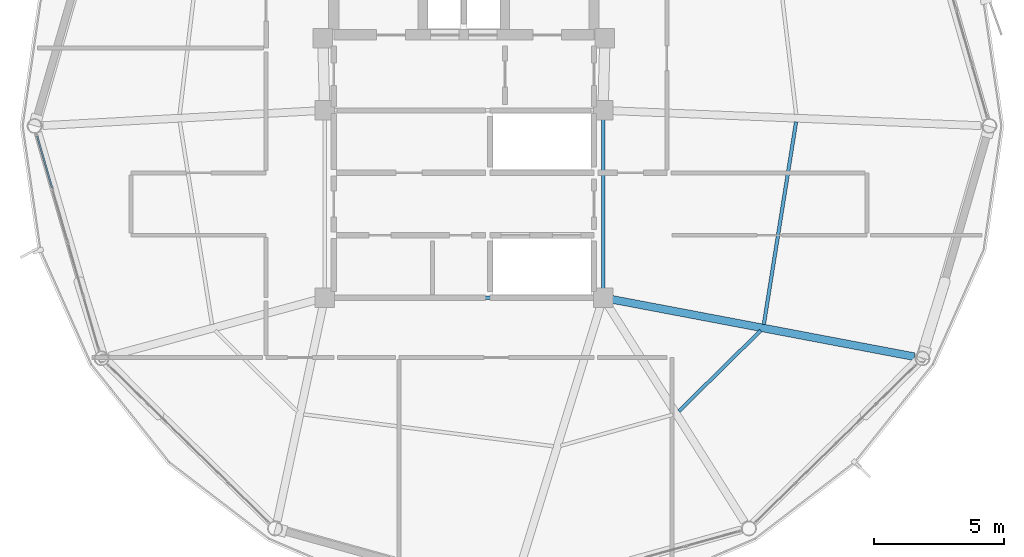
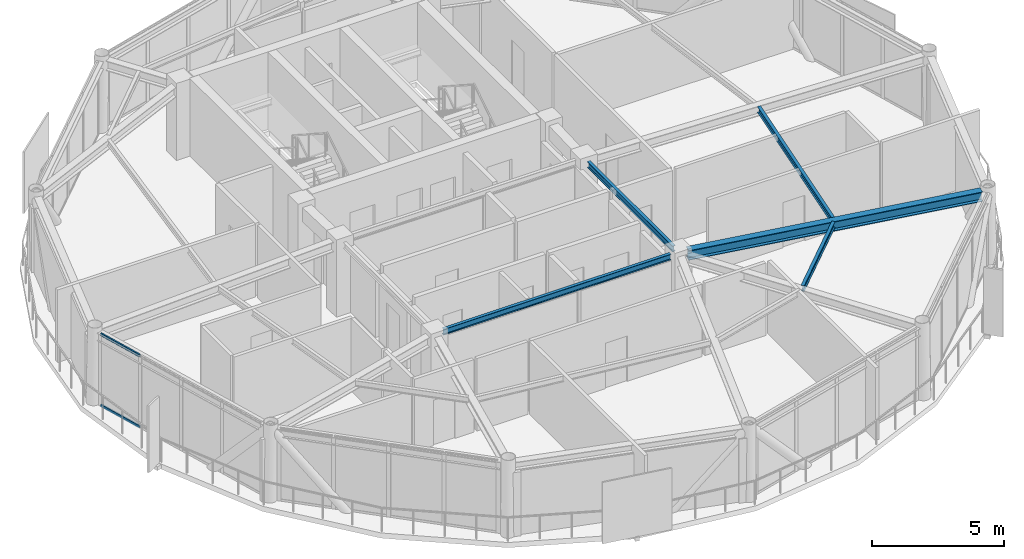
# One storey, part 10 of 26: 5 beams, 2 members, 1 element without a shape of its own.
"""IFC4 building model written with IfcOpenShell, lengths in metres."""

from ifc_helpers import new_model, si_unit, direction, frame, origin, origin_2d, place, context, subcontext, project, spatial, hollow_rectangle, i_section, extrude, material, layer, layer_set, material_profile, profile_set, type_object, element, aggregate, save


model = new_model("IFC4")

# Units and contexts
model_context = context("Model", 3, precision=1e-05, world=origin(), true_north=direction((0.0, 1.0)))
body_context = subcontext(model_context, "Body", "Model", "MODEL_VIEW")
ifc_project = project(units=[si_unit("LENGTHUNIT", "METRE"), si_unit("AREAUNIT", "SQUARE_METRE"), si_unit("VOLUMEUNIT", "CUBIC_METRE"), si_unit("PLANEANGLEUNIT", "RADIAN"), si_unit("MASSUNIT", "GRAM", prefix="KILO")], contexts=[model_context])

# Site, building, storey
site_placement = place(None, origin())
site = spatial("IfcSite", under=ifc_project, at=site_placement, CompositionType="ELEMENT")
building_placement = place(site_placement, origin())
building = spatial("IfcBuilding", under=site, at=building_placement, Name="Varnakorn Sky Granary", CompositionType="ELEMENT")
storey_placement = place(building_placement, frame((0.0, 0.0, 256.199951171875)))
storey = spatial("IfcBuildingStorey", under=building, at=storey_placement, Name="L65", CompositionType="ELEMENT", Elevation=256.199951171875)

# Beams
ifc_material_1 = material(Name="Steel S355JR", Category="steel")
ifc_material_profile_1 = material_profile(ifc_material_1, i_section(OverallWidth=0.300048828125, OverallDepth=0.449951171875, WebThickness=0.013916015625, FlangeThickness=0.02587890625, at=origin_2d()), Name="HE 450 B")
ifc_profile_set_1 = profile_set([ifc_material_profile_1], Name="Steel S355JR")
beam_type_1 = type_object("IfcBeamType", Name="BM-RAD-Z5", PredefinedType="BEAM", material=ifc_profile_set_1)
beam_1_placement = place(storey_placement, frame((8.69873046875, -6.666015625, 3.135009765625), z_axis=(0.982491868642, -0.186305469732, 0.0), x_axis=(0.186305469732, 0.982491868642, 0.0)))
element("IfcBeam", 1, at=beam_1_placement, inside=storey, type_object=beam_type_1, Name="Radial Floor Girder RG12 L65", PredefinedType="BEAM", context=body_context, shape_type="SweptSolid", body=[
    extrude(i_section(OverallWidth=0.300048828125, OverallDepth=0.449951171875, WebThickness=0.013916015625, FlangeThickness=0.02587890625, at=origin_2d()), origin(), (0.0, 0.0, 1.0), 11.82275390625),
])
ifc_material_profile_2 = material_profile(ifc_material_1, i_section(OverallWidth=0.135009765625, OverallDepth=0.27001953125, WebThickness=0.006591796875, FlangeThickness=0.01025390625, at=origin_2d()), Name="IPE 270")
ifc_profile_set_2 = profile_set([ifc_material_profile_2], Name="Steel S355JR")
beam_type_2 = type_object("IfcBeamType", Name="BM-SEC-Z5", PredefinedType="BEAM", material=ifc_profile_set_2)
beam_2_placement = place(storey_placement, frame((11.26318359375, -10.963134765625, 3.22509765625), z_axis=(0.712342555358, 0.701831948422, 0.0), x_axis=(-0.701831948422, 0.712342555358, 0.0)))
element("IfcBeam", 2, at=beam_2_placement, inside=storey, type_object=beam_type_2, Name="Secondary Floor Chord Beam MSB11 L65", PredefinedType="BEAM", context=body_context, shape_type="SweptSolid", body=[
    extrude(i_section(OverallWidth=0.135009765625, OverallDepth=0.27001953125, WebThickness=0.006591796875, FlangeThickness=0.01025390625, at=origin_2d()), origin(), (0.0, 0.0, 1.0), 4.413330078125),
])
beam_3_placement = place(storey_placement, frame((14.52880859375, -7.629150390625, 3.22509765625), z_axis=(0.157276973939, 0.987554531896, 0.0), x_axis=(-0.987554531896, 0.157276973939, 0.0)))
element("IfcBeam", 3, at=beam_3_placement, inside=storey, type_object=beam_type_2, Name="Secondary Floor Chord Beam MSB12 L65", PredefinedType="BEAM", context=body_context, shape_type="SweptSolid", body=[
    extrude(i_section(OverallWidth=0.135009765625, OverallDepth=0.27001953125, WebThickness=0.006591796875, FlangeThickness=0.01025390625, at=origin_2d()), origin(), (0.0, 0.0, 1.0), 7.88720703125),
])
beam_4_placement = place(storey_placement, frame((8.35009765625, 0.2451171875, 3.22509765625), z_axis=(0.0, -1.0, 0.0), x_axis=(1.0, 0.0, 0.0)))
element("IfcBeam", 4, at=beam_4_placement, inside=storey, type_object=beam_type_2, Name="Core Spine Framing Beam 4 L65", PredefinedType="BEAM", context=body_context, shape_type="SweptSolid", body=[
    extrude(i_section(OverallWidth=0.135009765625, OverallDepth=0.27001953125, WebThickness=0.006591796875, FlangeThickness=0.01025390625, at=origin_2d()), origin(), (0.0, 0.0, 1.0), 6.490234375),
])
beam_5_placement = place(storey_placement, frame((-1.9951171875, -6.60009765625, 3.22509765625), z_axis=(1.0, 0.0, 0.0), x_axis=(0.0, 1.0, 0.0)))
element("IfcBeam", 5, at=beam_5_placement, inside=storey, type_object=beam_type_2, Name="Core Spine Framing Beam 6 L65", PredefinedType="BEAM", context=body_context, shape_type="SweptSolid", body=[
    extrude(i_section(OverallWidth=0.135009765625, OverallDepth=0.27001953125, WebThickness=0.006591796875, FlangeThickness=0.01025390625, at=origin_2d()), origin(), (0.0, 0.0, 1.0), 9.990234375),
])

# Curtain wall, members
ifc_material_2 = material(Name="Anodised Bronze Aluminium Alloy 6063-T6", Category="aluminium")
ifc_layer = layer(ifc_material_2, 0.159912109375, Name="Anodised Bronze Aluminium Alloy 6063-T6")
ifc_layer_set = layer_set([ifc_layer], Name="Anodised Bronze Aluminium Alloy 6063-T6")
curtain_wall_type = type_object("IfcCurtainWallType", Name="CW-OFF-1", PredefinedType="USERDEFINED", material=ifc_layer_set)
curtain_wall_placement = place(storey_placement, origin())
curtain_wall = element("IfcCurtainWall", 6, at=curtain_wall_placement, inside=storey, type_object=curtain_wall_type, Name="Unitised Curtain Wall CW6 CW-L65-B07", ObjectType="CURTAIN WALL", PredefinedType="USERDEFINED")
ifc_material_profile_3 = material_profile(ifc_material_2, hollow_rectangle(XDim=0.06494140625, YDim=0.1201171875, WallThickness=0.00341796875, at=origin_2d()), Name="ALU TRAN 65x120")
ifc_profile_set_3 = profile_set([ifc_material_profile_3], Name="Anodised Bronze Aluminium Alloy 6063-T6")
member_type = type_object("IfcMemberType", Name="CW-OFF-1-TRAN", PredefinedType="USERDEFINED", material=ifc_profile_set_3)
member_1_placement = place(storey_placement, frame((-12.827880859375, -2.36572265625, 0.032470703125), z_axis=(-0.277055324122, 0.960853967768, 0.0), x_axis=(-0.960853967768, -0.277055324122, 0.0)))
member_1 = element("IfcMember", 7, at=member_1_placement, type_object=member_type, Name="CW6 transom 4.1", ObjectType="TRANSOM", PredefinedType="USERDEFINED", context=body_context, shape_type="SweptSolid", body=[
    extrude(hollow_rectangle(XDim=0.06494140625, YDim=0.1201171875, WallThickness=0.00341796875, at=origin_2d()), origin(), (0.0, 0.0, 1.0), 2.0576171875),
])
member_2_placement = place(storey_placement, frame((-12.827880859375, -2.36572265625, 3.32763671875), z_axis=(-0.277055324122, 0.960853967768, 0.0), x_axis=(-0.960853967768, -0.277055324122, 0.0)))
member_2 = element("IfcMember", 8, at=member_2_placement, type_object=member_type, Name="CW6 transom 4.2", ObjectType="TRANSOM", PredefinedType="USERDEFINED", context=body_context, shape_type="SweptSolid", body=[
    extrude(hollow_rectangle(XDim=0.06494140625, YDim=0.1201171875, WallThickness=0.00341796875, at=origin_2d()), origin(), (0.0, 0.0, 1.0), 2.0576171875),
])
aggregate(curtain_wall, [member_1, member_2])

save(model, "model.ifc")
